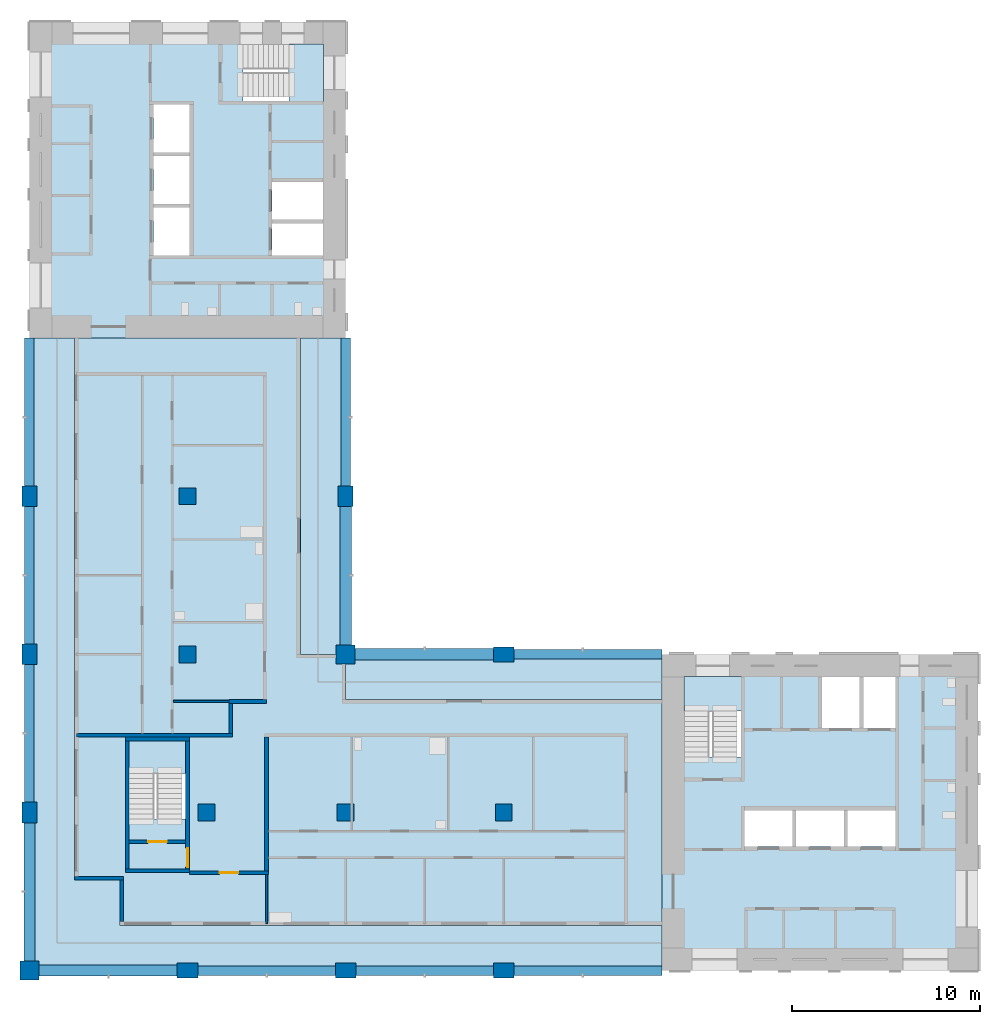
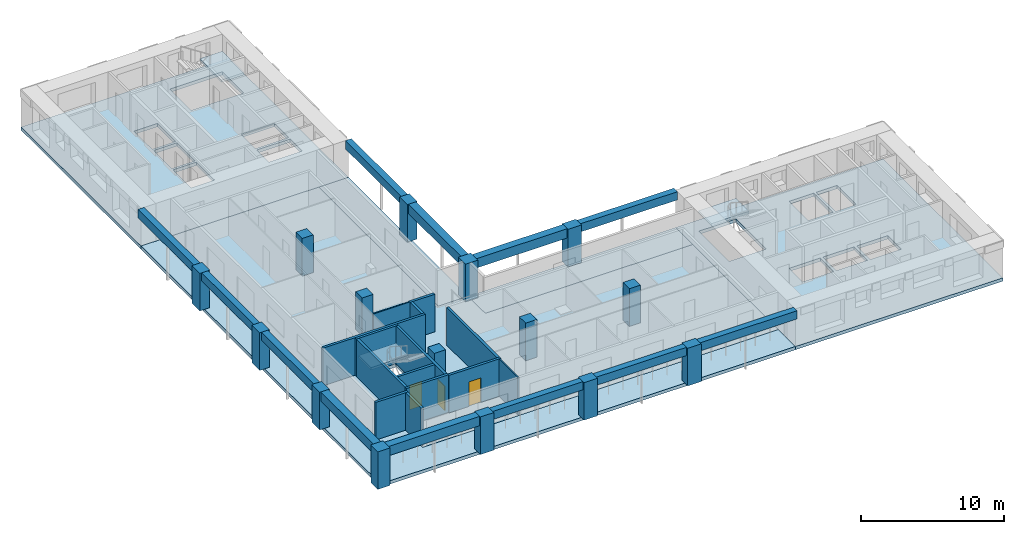
# One storey, part 1 of 9: 15 columns, 14 walls, 12 beams, 10 slabs, 3 doors, 3 openings, 3 elements without a shape of their own.
"""IFC4 building model written with IfcOpenShell, lengths in metres."""

from ifc_helpers import new_model, si_unit, direction, frame, frame_2d, origin, origin_2d, place, context, subcontext, project, spatial, polyline, rectangle, outline, extrude, material, layer, layer_set, material_profile, profile_set, type_object, element, fill, aggregate, save


model = new_model("IFC4")

# Units and contexts
model_context = context("Model", 3, precision=1e-05, world=origin(), true_north=direction((0.0, 1.0)))
body_context = subcontext(model_context, "Body", "Model", "MODEL_VIEW")
ifc_project = project(units=[si_unit("LENGTHUNIT", "METRE"), si_unit("AREAUNIT", "SQUARE_METRE"), si_unit("VOLUMEUNIT", "CUBIC_METRE"), si_unit("PLANEANGLEUNIT", "RADIAN"), si_unit("MASSUNIT", "GRAM", prefix="KILO")], contexts=[model_context])

# Site, building, storey
site_placement = place(None, origin())
site = spatial("IfcSite", under=ifc_project, at=site_placement, CompositionType="ELEMENT")
building_placement = place(site_placement, origin())
building = spatial("IfcBuilding", under=site, at=building_placement, Name="Vermilion Gate Residences", CompositionType="ELEMENT")
storey_placement = place(building_placement, frame((0.0, 0.0, 228.199951171875)))
storey = spatial("IfcBuildingStorey", under=building, at=storey_placement, Name="L59", CompositionType="ELEMENT", Elevation=228.199951171875)

# Columns
ifc_material_1 = material(Name="Concrete C50", Category="concrete")
ifc_material_profile_1 = material_profile(ifc_material_1, rectangle(XDim=1.0, YDim=1.0, at=origin_2d()), Name="RC-1000x1000")
ifc_profile_set_1 = profile_set([ifc_material_profile_1], Name="Concrete C50")
column_type_1 = type_object("IfcColumnType", Name="RC COLUMN 1000 X 1000 C50", PredefinedType="COLUMN", material=ifc_profile_set_1)
for number, where, z_axis, x_axis, name in (
    (1, (8.39990234375, 8.39990234375, 0.0), (0.0, 0.0, 1.0), (1.0, 0.0, 0.0), "Column 2-B L59"),
    (2, (25.199951171875, 25.199951171875, 0.0), (0.0, 0.0, 1.0), (1.0, 0.0, 0.0), "Column 4-D L59"),
):
    element("IfcColumn", number, at=place(storey_placement, frame(where, z_axis=z_axis, x_axis=x_axis)), inside=storey, type_object=column_type_1, Name=name, PredefinedType="COLUMN", context=body_context, shape_type="SweptSolid", body=[
        extrude(rectangle(XDim=1.0, YDim=1.0, at=origin_2d()), origin(), (0.0, 0.0, 1.0), 3.219970703125),
    ])
ifc_material_2 = material(Name="Concrete C50", Category="concrete")
ifc_material_profile_2 = material_profile(ifc_material_2, rectangle(XDim=1.10009765625, YDim=0.800048828125, at=origin_2d()), Name="RC-1100x800")
ifc_profile_set_2 = profile_set([ifc_material_profile_2], Name="Concrete C50")
column_type_2 = type_object("IfcColumnType", Name="RC COLUMN 1100 X 800 C50", PredefinedType="COLUMN", material=ifc_profile_set_2)
for number, where, z_axis, x_axis, name in (
    (3, (8.39990234375, 16.800048828125, 0.0), (0.0, 0.0, 1.0), (0.0, 1.0, 0.0), "Column 2-C L59"),
    (4, (8.39990234375, 25.199951171875, 0.0), (0.0, 0.0, 1.0), (0.0, 1.0, 0.0), "Column 2-D L59"),
    (5, (8.39990234375, 33.60009765625, 0.0), (0.0, 0.0, 1.0), (0.0, 1.0, 0.0), "Column 2-E L59"),
    (6, (16.800048828125, 8.39990234375, 0.0), (0.0, 0.0, 1.0), (1.0, 0.0, 0.0), "Column 3-B L59"),
    (7, (25.199951171875, 8.39990234375, 0.0), (0.0, 0.0, 1.0), (1.0, 0.0, 0.0), "Column 4-B L59"),
    (8, (25.199951171875, 33.60009765625, 0.0), (0.0, 0.0, 1.0), (0.0, 1.0, 0.0), "Column 4-E L59"),
    (9, (33.60009765625, 8.39990234375, 0.0), (0.0, 0.0, 1.0), (1.0, 0.0, 0.0), "Column 5-B L59"),
    (10, (33.60009765625, 25.199951171875, 0.0), (0.0, 0.0, 1.0), (1.0, 0.0, 0.0), "Column 5-D L59"),
):
    element("IfcColumn", number, at=place(storey_placement, frame(where, z_axis=z_axis, x_axis=x_axis)), inside=storey, type_object=column_type_2, Name=name, PredefinedType="COLUMN", context=body_context, shape_type="SweptSolid", body=[
        extrude(rectangle(XDim=1.10009765625, YDim=0.800048828125, at=origin_2d()), origin(), (0.0, 0.0, 1.0), 3.219970703125),
    ])
ifc_material_3 = material(Name="Concrete C50", Category="concrete")
ifc_material_profile_3 = material_profile(ifc_material_3, rectangle(XDim=0.89990234375, YDim=0.89990234375, at=origin_2d()), Name="RC-900x900")
ifc_profile_set_3 = profile_set([ifc_material_profile_3], Name="Concrete C50")
column_type_3 = type_object("IfcColumnType", Name="RC COLUMN 900 X 900 C50", PredefinedType="COLUMN", material=ifc_profile_set_3)
for number, where, z_axis, x_axis, name in (
    (11, (17.800048828125, 16.800048828125, 0.0), (0.0, 0.0, 1.0), (1.0, 0.0, 0.0), "Column 3-C L59"),
    (12, (16.800048828125, 25.199951171875, 0.0), (0.0, 0.0, 1.0), (1.0, 0.0, 0.0), "Column 3-D L59"),
    (13, (16.800048828125, 33.60009765625, 0.0), (0.0, 0.0, 1.0), (1.0, 0.0, 0.0), "Column 3-E L59"),
    (14, (25.199951171875, 16.800048828125, 0.0), (0.0, 0.0, 1.0), (1.0, 0.0, 0.0), "Column 4-C L59"),
    (15, (33.60009765625, 16.800048828125, 0.0), (0.0, 0.0, 1.0), (1.0, 0.0, 0.0), "Column 5-C L59"),
):
    element("IfcColumn", number, at=place(storey_placement, frame(where, z_axis=z_axis, x_axis=x_axis)), inside=storey, type_object=column_type_3, Name=name, PredefinedType="COLUMN", context=body_context, shape_type="SweptSolid", body=[
        extrude(rectangle(XDim=0.89990234375, YDim=0.89990234375, at=origin_2d()), origin(), (0.0, 0.0, 1.0), 3.219970703125),
    ])

# Beams
ifc_material_4 = material(Name="Concrete C60 red-oxide pigmented", Category="concrete")
ifc_material_profile_4 = material_profile(ifc_material_4, rectangle(XDim=0.60009765625, YDim=0.800048828125, at=origin_2d()), Name="RC-600x800")
ifc_profile_set_4 = profile_set([ifc_material_profile_4], Name="Concrete C60 red-oxide pigmented")
beam_type_1 = type_object("IfcBeamType", Name="RC CORNER EDGE BEAM 600 X 800 C60", PredefinedType="BEAM", material=ifc_profile_set_4)
for number, where, z_axis, x_axis, name in (
    (16, (8.89990234375, 8.39990234375, 2.820068359375), (1.0, 0.0, 0.0), (0.0, 1.0, 0.0), "Corner edge beam L59 1"),
    (17, (8.39990234375, 8.89990234375, 2.820068359375), (0.0, 1.0, 0.0), (-1.0, 0.0, 0.0), "Corner edge beam L59 2"),
    (18, (25.199951171875, 25.699951171875, 2.820068359375), (0.0, 1.0, 0.0), (-1.0, 0.0, 0.0), "Corner edge beam L59 7"),
    (19, (25.699951171875, 25.199951171875, 2.820068359375), (1.0, 0.0, 0.0), (0.0, 1.0, 0.0), "Corner edge beam L59 10"),
):
    element("IfcBeam", number, at=place(storey_placement, frame(where, z_axis=z_axis, x_axis=x_axis)), inside=storey, type_object=beam_type_1, Name=name, PredefinedType="BEAM", context=body_context, shape_type="SweptSolid", body=[
        extrude(rectangle(XDim=0.60009765625, YDim=0.800048828125, at=origin_2d()), origin(), (0.0, 0.0, 1.0), 7.35009765625),
    ])
ifc_material_5 = material(Name="Concrete C60 red-oxide pigmented", Category="concrete")
ifc_material_profile_5 = material_profile(ifc_material_5, rectangle(XDim=0.5, YDim=0.699951171875, at=origin_2d()), Name="RC-500x700")
ifc_profile_set_5 = profile_set([ifc_material_profile_5], Name="Concrete C60 red-oxide pigmented")
beam_type_2 = type_object("IfcBeamType", Name="RC EDGE BEAM 500 X 700 C60", PredefinedType="BEAM", material=ifc_profile_set_5)
beam_1_placement = place(storey_placement, frame((8.39990234375, 17.35009765625, 2.8701171875), z_axis=(0.0, 1.0, 0.0), x_axis=(-1.0, 0.0, 0.0)))
element("IfcBeam", 20, at=beam_1_placement, inside=storey, type_object=beam_type_2, Name="Edge beam L59 3", PredefinedType="BEAM", context=body_context, shape_type="SweptSolid", body=[
    extrude(rectangle(XDim=0.5, YDim=0.699951171875, at=origin_2d()), origin(), (0.0, 0.0, 1.0), 7.2998046875),
])
beam_2_placement = place(storey_placement, frame((8.39990234375, 25.75, 2.8701171875), z_axis=(0.0, 1.0, 0.0), x_axis=(-1.0, 0.0, 0.0)))
element("IfcBeam", 21, at=beam_2_placement, inside=storey, type_object=beam_type_2, Name="Edge beam L59 4", PredefinedType="BEAM", context=body_context, shape_type="SweptSolid", body=[
    extrude(rectangle(XDim=0.5, YDim=0.699951171875, at=origin_2d()), origin(), (0.0, 0.0, 1.0), 7.300048828125),
])
beam_3_placement = place(storey_placement, frame((8.39990234375, 34.14990234375, 2.8701171875), z_axis=(0.0, 1.0, 0.0), x_axis=(-1.0, 0.0, 0.0)))
element("IfcBeam", 22, at=beam_3_placement, inside=storey, type_object=beam_type_2, Name="Edge beam L59 5", PredefinedType="BEAM", context=body_context, shape_type="SweptSolid", body=[
    extrude(rectangle(XDim=0.5, YDim=0.699951171875, at=origin_2d()), origin(), (0.0, 0.0, 1.0), 7.85009765625),
])
beam_4_placement = place(storey_placement, frame((17.35009765625, 8.39990234375, 2.8701171875), z_axis=(1.0, 0.0, 0.0), x_axis=(0.0, 1.0, 0.0)))
element("IfcBeam", 23, at=beam_4_placement, inside=storey, type_object=beam_type_2, Name="Edge beam L59 6", PredefinedType="BEAM", context=body_context, shape_type="SweptSolid", body=[
    extrude(rectangle(XDim=0.5, YDim=0.699951171875, at=origin_2d()), origin(), (0.0, 0.0, 1.0), 7.2998046875),
])
beam_5_placement = place(storey_placement, frame((25.199951171875, 34.14990234375, 2.8701171875), z_axis=(0.0, 1.0, 0.0), x_axis=(-1.0, 0.0, 0.0)))
element("IfcBeam", 24, at=beam_5_placement, inside=storey, type_object=beam_type_2, Name="Edge beam L59 8", PredefinedType="BEAM", context=body_context, shape_type="SweptSolid", body=[
    extrude(rectangle(XDim=0.5, YDim=0.699951171875, at=origin_2d()), origin(), (0.0, 0.0, 1.0), 7.85009765625),
])
beam_6_placement = place(storey_placement, frame((25.75, 8.39990234375, 2.8701171875), z_axis=(1.0, 0.0, 0.0), x_axis=(0.0, 1.0, 0.0)))
element("IfcBeam", 25, at=beam_6_placement, inside=storey, type_object=beam_type_2, Name="Edge beam L59 9", PredefinedType="BEAM", context=body_context, shape_type="SweptSolid", body=[
    extrude(rectangle(XDim=0.5, YDim=0.699951171875, at=origin_2d()), origin(), (0.0, 0.0, 1.0), 7.300048828125),
])
for number, where, z_axis, x_axis, name in (
    (26, (34.14990234375, 8.39990234375, 2.8701171875), (1.0, 0.0, 0.0), (0.0, 1.0, 0.0), "Edge beam L59 11"),
    (27, (34.14990234375, 25.199951171875, 2.8701171875), (1.0, 0.0, 0.0), (0.0, 1.0, 0.0), "Edge beam L59 12"),
):
    element("IfcBeam", number, at=place(storey_placement, frame(where, z_axis=z_axis, x_axis=x_axis)), inside=storey, type_object=beam_type_2, Name=name, PredefinedType="BEAM", context=body_context, shape_type="SweptSolid", body=[
        extrude(rectangle(XDim=0.5, YDim=0.699951171875, at=origin_2d()), origin(), (0.0, 0.0, 1.0), 7.85009765625),
    ])

# Slabs
ifc_material_6 = material(Name="Concrete C50", Category="concrete")
ifc_layer_1 = layer(ifc_material_6, 0.280029296875)
ifc_layer_set_1 = layer_set([ifc_layer_1], Name="RC CORE FLOOR SLAB 280 C50")
slab_type_1 = type_object("IfcSlabType", Name="RC CORE FLOOR SLAB 280 C50", PredefinedType="FLOOR", material=ifc_layer_set_1)
slab_1_placement = place(storey_placement, frame((0.0, 0.0, -0.280029296875)))
element("IfcSlab", 28, at=slab_1_placement, inside=storey, type_object=slab_type_1, Name="Core floor slab A59", PredefinedType="FLOOR", context=body_context, shape_type="SweptSolid", body=[
    extrude(outline(polyline([(42.0, 8.39990234375), (58.800048828125, 8.39990234375), (58.800048828125, 25.199951171875), (42.0, 25.199951171875), (42.0, 8.39990234375)]), holes=[polyline([(46.39990234375, 15.0), (46.39990234375, 16.89990234375), (48.933349609375, 16.89990234375), (48.933349609375, 15.0), (46.39990234375, 15.0)]), polyline([(49.13330078125, 16.89990234375), (51.666748046875, 16.89990234375), (51.666748046875, 15.0), (49.13330078125, 15.0), (49.13330078125, 16.89990234375)]), polyline([(51.86669921875, 16.89990234375), (54.39990234375, 16.89990234375), (54.39990234375, 15.0), (51.86669921875, 15.0), (51.86669921875, 16.89990234375)]), polyline([(43.199951171875, 19.75), (43.199951171875, 24.0), (46.199951171875, 24.0), (46.199951171875, 19.75), (43.199951171875, 19.75)]), polyline([(50.5, 24.0), (52.5, 24.0), (52.5, 21.300048828125), (50.5, 21.300048828125), (50.5, 24.0)]), polyline([(52.699951171875, 24.0), (54.39990234375, 24.0), (54.39990234375, 21.300048828125), (52.699951171875, 21.300048828125), (52.699951171875, 24.0)])]), origin(), (0.0, 0.0, 1.0), 0.280029296875),
])
slab_2_placement = place(storey_placement, frame((0.0, 0.0, -0.280029296875)))
element("IfcSlab", 29, at=slab_2_placement, inside=storey, type_object=slab_type_1, Name="Core floor slab B59", PredefinedType="FLOOR", context=body_context, shape_type="SweptSolid", body=[
    extrude(outline(polyline([(8.39990234375, 42.0), (25.199951171875, 42.0), (25.199951171875, 58.800048828125), (8.39990234375, 58.800048828125), (8.39990234375, 42.0)]), holes=[polyline([(21.300048828125, 46.39990234375), (21.300048828125, 48.10009765625), (24.0, 48.10009765625), (24.0, 46.39990234375), (21.300048828125, 46.39990234375)]), polyline([(15.0, 48.933349609375), (16.89990234375, 48.933349609375), (16.89990234375, 46.39990234375), (15.0, 46.39990234375), (15.0, 48.933349609375)]), polyline([(21.300048828125, 50.300048828125), (24.0, 50.300048828125), (24.0, 48.300048828125), (21.300048828125, 48.300048828125), (21.300048828125, 50.300048828125)]), polyline([(15.0, 49.13330078125), (15.0, 51.666748046875), (16.89990234375, 51.666748046875), (16.89990234375, 49.13330078125), (15.0, 49.13330078125)]), polyline([(15.0, 54.39990234375), (16.89990234375, 54.39990234375), (16.89990234375, 51.86669921875), (15.0, 51.86669921875), (15.0, 54.39990234375)]), polyline([(19.75, 57.60009765625), (24.0, 57.60009765625), (24.0, 54.60009765625), (19.75, 54.60009765625), (19.75, 57.60009765625)])]), origin(), (0.0, 0.0, 1.0), 0.280029296875),
])
slab_3_placement = place(storey_placement, frame((0.0, 0.0, -0.280029296875)))
element("IfcSlab", 30, at=slab_3_placement, inside=storey, type_object=slab_type_1, Name="Apex stair floor slab 59", PredefinedType="FLOOR", context=body_context, shape_type="SweptSolid", body=[
    extrude(outline(polyline([(13.5, 13.60009765625), (16.89990234375, 13.60009765625), (16.89990234375, 20.800048828125), (13.5, 20.800048828125), (13.5, 13.60009765625)]), holes=[polyline([(16.699951171875, 20.60009765625), (16.699951171875, 16.449951171875), (13.699951171875, 16.449951171875), (13.699951171875, 20.60009765625), (16.699951171875, 20.60009765625)])]), origin(), (0.0, 0.0, 1.0), 0.280029296875),
])
ifc_material_7 = material(Name="Concrete C50", Category="concrete")
ifc_layer_2 = layer(ifc_material_7, 0.280029296875)
ifc_layer_set_2 = layer_set([ifc_layer_2], Name="RC FLAT PLATE 280 C50")
slab_type_2 = type_object("IfcSlabType", Name="RC FLAT PLATE 280 C50", PredefinedType="FLOOR", material=ifc_layer_set_2)
slab_4_placement = place(storey_placement, frame((0.0, 0.0, -0.280029296875)))
element("IfcSlab", 31, at=slab_4_placement, inside=storey, type_object=slab_type_2, Name="Floor slab L59", PredefinedType="FLOOR", context=body_context, shape_type="SweptSolid", body=[
    extrude(outline(polyline([(22.800048828125, 25.199951171875), (22.800048828125, 42.0), (10.800048828125, 42.0), (10.800048828125, 13.199951171875), (13.199951171875, 13.199951171875), (13.199951171875, 10.800048828125), (42.0, 10.800048828125), (42.0, 22.800048828125), (25.199951171875, 22.800048828125), (25.199951171875, 25.199951171875), (22.800048828125, 25.199951171875)]), holes=[polyline([(13.5, 13.60009765625), (13.5, 20.800048828125), (16.89990234375, 20.800048828125), (16.89990234375, 13.60009765625), (13.5, 13.60009765625)])]), origin(), (0.0, 0.0, 1.0), 0.280029296875),
])
ifc_material_8 = material(Name="Concrete C50 red-oxide pigmented", Category="concrete")
ifc_layer_3 = layer(ifc_material_8, 0.280029296875)
ifc_layer_set_3 = layer_set([ifc_layer_3], Name="RC LOGGIA SLAB 280 C50")
slab_type_3 = type_object("IfcSlabType", Name="RC LOGGIA SLAB 280 C50", PredefinedType="FLOOR", material=ifc_layer_set_3)
slab_5_placement = place(storey_placement, frame((0.0, 0.0, -0.280029296875)))
element("IfcSlab", 32, at=slab_5_placement, inside=storey, type_object=slab_type_3, Name="Loggia slab L59", PredefinedType="FLOOR", context=body_context, shape_type="SweptSolid", body=[
    extrude(outline(polyline([(8.39990234375, 8.39990234375), (42.0, 8.39990234375), (42.0, 10.800048828125), (13.199951171875, 10.800048828125), (13.199951171875, 13.199951171875), (10.800048828125, 13.199951171875), (10.800048828125, 42.0), (8.39990234375, 42.0), (8.39990234375, 8.39990234375)])), origin(), (0.0, 0.0, 1.0), 0.280029296875),
])
slab_6_placement = place(storey_placement, frame((0.0, 0.0, -0.280029296875)))
element("IfcSlab", 33, at=slab_6_placement, inside=storey, type_object=slab_type_3, Name="Loggia slab L59", PredefinedType="FLOOR", context=body_context, shape_type="SweptSolid", body=[
    extrude(outline(polyline([(25.199951171875, 22.800048828125), (42.0, 22.800048828125), (42.0, 25.199951171875), (25.199951171875, 25.199951171875), (25.199951171875, 22.800048828125)])), origin(), (0.0, 0.0, 1.0), 0.280029296875),
])
slab_7_placement = place(storey_placement, frame((0.0, 0.0, -0.280029296875)))
element("IfcSlab", 34, at=slab_7_placement, inside=storey, type_object=slab_type_3, Name="Loggia slab L59", PredefinedType="FLOOR", context=body_context, shape_type="SweptSolid", body=[
    extrude(outline(polyline([(25.199951171875, 42.0), (22.800048828125, 42.0), (22.800048828125, 25.199951171875), (25.199951171875, 25.199951171875), (25.199951171875, 42.0)])), origin(), (0.0, 0.0, 1.0), 0.280029296875),
])

# Stair, slab
ifc_material_9 = material(Name="Concrete C50", Category="concrete")
stair_type = type_object("IfcStairType", Name="SPECIAL ESCAPE STAIR 1300", PredefinedType="HALF_TURN_STAIR", material=ifc_material_9)
stair_1_placement = place(storey_placement, origin())
stair_1 = element("IfcStair", 35, at=stair_1_placement, inside=storey, type_object=stair_type, Name="Special escape stair STA1-59", PredefinedType="HALF_TURN_STAIR")
ifc_material_10 = material(Name="Concrete C50", Category="concrete")
ifc_layer_4 = layer(ifc_material_10, 0.199951171875)
ifc_layer_set_4 = layer_set([ifc_layer_4], Name="STAIR LANDING 200 C50")
slab_type_4 = type_object("IfcSlabType", Name="STAIR LANDING 200 C50", PredefinedType="LANDING", material=ifc_layer_set_4)
slab_8_placement = place(storey_placement, frame((0.0, 0.0, 1.550048828125)))
slab_8 = element("IfcSlab", 36, at=slab_8_placement, type_object=slab_type_4, Name="STA1-59 landing 1", PredefinedType="LANDING", context=body_context, shape_type="SweptSolid", body=[
    extrude(outline(polyline([(46.219970703125, 22.179931640625), (46.219970703125, 24.02001953125), (43.179931640625, 24.02001953125), (43.179931640625, 22.179931640625), (46.219970703125, 22.179931640625)])), origin(), (0.0, 0.0, 1.0), 0.199951171875),
])
aggregate(stair_1, [slab_8])

stair_2_placement = place(storey_placement, origin())
stair_2 = element("IfcStair", 37, at=stair_2_placement, inside=storey, type_object=stair_type, Name="Special escape stair STB1-59", PredefinedType="HALF_TURN_STAIR")
slab_9_placement = place(storey_placement, frame((0.0, 0.0, 1.550048828125)))
slab_9 = element("IfcSlab", 38, at=slab_9_placement, type_object=slab_type_4, Name="STB1-59 landing 1", PredefinedType="LANDING", context=body_context, shape_type="SweptSolid", body=[
    extrude(outline(polyline([(24.02001953125, 54.580078125), (24.02001953125, 57.6201171875), (22.179931640625, 57.6201171875), (22.179931640625, 54.580078125), (24.02001953125, 54.580078125)])), origin(), (0.0, 0.0, 1.0), 0.199951171875),
])
aggregate(stair_2, [slab_9])

stair_3_placement = place(storey_placement, origin())
stair_3 = element("IfcStair", 39, at=stair_3_placement, inside=storey, type_object=stair_type, Name="Special escape stair STC1-59", PredefinedType="HALF_TURN_STAIR")
slab_10_placement = place(storey_placement, frame((0.0, 0.0, 1.550048828125)))
slab_10 = element("IfcSlab", 40, at=slab_10_placement, type_object=slab_type_4, Name="STC1-59 landing 1", PredefinedType="LANDING", context=body_context, shape_type="SweptSolid", body=[
    extrude(outline(polyline([(16.719970703125, 18.8798828125), (16.719970703125, 20.6201171875), (13.679931640625, 20.6201171875), (13.679931640625, 18.8798828125), (16.719970703125, 18.8798828125)])), origin(), (0.0, 0.0, 1.0), 0.199951171875),
])
aggregate(stair_3, [slab_10])

# Walls
ifc_material_11 = material(Name="Insulated steel stud wall with terracotta rainscreen", Category="masonry")
ifc_layer_5 = layer(ifc_material_11, 0.199951171875)
ifc_layer_set_5 = layer_set([ifc_layer_5], Name="EXTERNAL WALL 200 TERRACOTTA RAINSCREEN")
wall_type_1 = type_object("IfcWallType", Name="EXTERNAL WALL 200 TERRACOTTA RAINSCREEN", PredefinedType="SOLIDWALL", material=ifc_layer_set_5)
wall_1_placement = place(storey_placement, frame((10.800048828125, 13.300048828125, 0.0), z_axis=(0.0, 0.0, 1.0), x_axis=(1.0, 0.0, 0.0)))
element("IfcWall", 41, at=wall_1_placement, inside=storey, type_object=wall_type_1, Name="External wall", PredefinedType="SOLIDWALL", context=body_context, shape_type="SweptSolid", body=[
    extrude(rectangle(XDim=2.599853515625, YDim=0.199951171875, at=frame_2d((1.2998046875, 0.0))), origin(), (0.0, 0.0, 1.0), 3.219970703125),
])
wall_2_placement = place(storey_placement, frame((13.300048828125, 13.199951171875, 0.0), z_axis=(0.0, 0.0, 1.0), x_axis=(0.0, -1.0, 0.0)))
element("IfcWall", 42, at=wall_2_placement, inside=storey, type_object=wall_type_1, Name="External wall", PredefinedType="SOLIDWALL", context=body_context, shape_type="SweptSolid", body=[
    extrude(rectangle(XDim=2.199951171875, YDim=0.199951171875, at=frame_2d((1.10009765625, 0.0))), origin(), (0.0, 0.0, 1.0), 3.219970703125),
])
ifc_material_12 = material(Name="Plasterboard on steel studs", Category="steel")
ifc_layer_6 = layer(ifc_material_12, 0.10009765625)
ifc_layer_set_6 = layer_set([ifc_layer_6], Name="PARTITION 100")
wall_type_2 = type_object("IfcWallType", Name="PARTITION 100", PredefinedType="PARTITIONING", material=ifc_layer_set_6)
wall_3_placement = place(storey_placement, frame((16.050048828125, 22.699951171875, 0.0), z_axis=(0.0, 0.0, 1.0), x_axis=(1.0, 0.0, 0.0)))
element("IfcWall", 43, at=wall_3_placement, inside=storey, type_object=wall_type_2, Name="Partition", PredefinedType="PARTITIONING", context=body_context, shape_type="SweptSolid", body=[
    extrude(rectangle(XDim=2.949951171875, YDim=0.10009765625, at=frame_2d((1.47509765625, 0.0))), origin(), (0.0, 0.0, 1.0), 3.219970703125),
])
wall_4_placement = place(storey_placement, frame((21.0, 10.89990234375, 0.0), z_axis=(0.0, 0.0, 1.0), x_axis=(0.0, 1.0, 0.0)))
element("IfcWall", 44, at=wall_4_placement, inside=storey, type_object=wall_type_2, Name="Partition", PredefinedType="PARTITIONING", context=body_context, shape_type="SweptSolid", body=[
    extrude(rectangle(XDim=2.60009765625, YDim=0.10009765625, at=frame_2d((1.300048828125, 0.0))), origin(), (0.0, 0.0, 1.0), 3.219970703125),
])

# Wall, opening, door
ifc_material_13 = material(Name="Fire-rated plasterboard on steel studs", Category="steel")
ifc_layer_7 = layer(ifc_material_13, 0.199951171875)
ifc_layer_set_7 = layer_set([ifc_layer_7], Name="PARTY WALL 200 EI 120")
wall_type_3 = type_object("IfcWallType", Name="PARTY WALL 200 EI 120", PredefinedType="PARTITIONING", material=ifc_layer_set_7)
wall_5_placement = place(storey_placement, frame((16.89990234375, 13.60009765625, 0.0), z_axis=(0.0, 0.0, 1.0), x_axis=(1.0, 0.0, 0.0)))
wall_5 = element("IfcWall", 45, at=wall_5_placement, inside=storey, type_object=wall_type_3, Name="Party and corridor wall", PredefinedType="PARTITIONING", context=body_context, shape_type="SweptSolid", body=[
    extrude(rectangle(XDim=4.2001953125, YDim=0.199951171875, at=frame_2d((2.10009765625, 0.0))), origin(), (0.0, 0.0, 1.0), 3.219970703125),
])
opening_1_placement = place(wall_5_placement, frame((1.60009765625, 0.0, 0.0)))
opening_1 = element("IfcOpeningElement", 46, at=opening_1_placement, cuts=wall_5, Name="Opening DA58001", PredefinedType="OPENING", context=body_context, shape_type="SweptSolid", body=[
    extrude(rectangle(XDim=1.0, YDim=2.10009765625, at=frame_2d((0.5, 1.050048828125))), frame((0.0, 0.10986328125, 0.0), z_axis=(0.0, -1.0, 0.0), x_axis=(1.0, 0.0, 0.0)), (0.0, 0.0, 1.0), 0.219970703125),
])
ifc_material_14 = material(Name="Steel", Category="steel")
door_type_1 = type_object("IfcDoorType", Name="ENTRANCE DOOR 1000 X 2100 FD30", OperationType="SINGLE_SWING_LEFT", PredefinedType="DOOR", material=ifc_material_14)
door_1_placement = place(opening_1_placement, frame((1.0, 0.0, 0.0), z_axis=(0.0, 0.0, 1.0), x_axis=(-1.0, 0.0, 0.0)))
door_1 = element("IfcDoor", 47, at=door_1_placement, inside=storey, type_object=door_type_1, Name="Entrance door", OperationType="SINGLE_SWING_LEFT", OverallHeight=2.10009765625, OverallWidth=1.0, PredefinedType="DOOR", context=body_context, shape_type="SweptSolid", body=[
    extrude(rectangle(XDim=1.0, YDim=2.10009765625, at=frame_2d((0.5, 1.050048828125))), frame((0.0, 0.02490234375, 0.0), z_axis=(0.0, -1.0, 0.0), x_axis=(1.0, 0.0, 0.0)), (0.0, 0.0, 1.0), 0.050048828125),
])
fill(opening_1, door_1)

# Walls
wall_6_placement = place(storey_placement, frame((10.89990234375, 20.89990234375, 0.0), z_axis=(0.0, 0.0, 1.0), x_axis=(1.0, 0.0, 0.0)))
element("IfcWall", 48, at=wall_6_placement, inside=storey, type_object=wall_type_3, Name="Party and corridor wall", PredefinedType="PARTITIONING", context=body_context, shape_type="SweptSolid", body=[
    extrude(rectangle(XDim=8.300048828125, YDim=0.199951171875, at=frame_2d((4.14990234375, 0.0))), origin(), (0.0, 0.0, 1.0), 3.219970703125),
])
wall_7_placement = place(storey_placement, frame((19.0, 22.699951171875, 0.0), z_axis=(0.0, 0.0, 1.0), x_axis=(1.0, 0.0, 0.0)))
element("IfcWall", 49, at=wall_7_placement, inside=storey, type_object=wall_type_3, Name="Party and corridor wall", PredefinedType="PARTITIONING", context=body_context, shape_type="SweptSolid", body=[
    extrude(rectangle(XDim=2.0, YDim=0.199951171875, at=frame_2d((1.0, 0.0))), origin(), (0.0, 0.0, 1.0), 3.219970703125),
])
wall_8_placement = place(storey_placement, frame((19.10009765625, 21.0, 0.0), z_axis=(0.0, 0.0, 1.0), x_axis=(0.0, 1.0, 0.0)))
element("IfcWall", 50, at=wall_8_placement, inside=storey, type_object=wall_type_3, Name="Party and corridor wall", PredefinedType="PARTITIONING", context=body_context, shape_type="SweptSolid", body=[
    extrude(rectangle(XDim=1.60009765625, YDim=0.199951171875, at=frame_2d((0.800048828125, 0.0))), origin(), (0.0, 0.0, 1.0), 3.219970703125),
])
wall_9_placement = place(storey_placement, frame((21.0, 13.699951171875, 0.0), z_axis=(0.0, 0.0, 1.0), x_axis=(0.0, 1.0, 0.0)))
element("IfcWall", 51, at=wall_9_placement, inside=storey, type_object=wall_type_3, Name="Party and corridor wall", PredefinedType="PARTITIONING", context=body_context, shape_type="SweptSolid", body=[
    extrude(rectangle(XDim=7.10009765625, YDim=0.199951171875, at=frame_2d((3.550048828125, 0.0))), origin(), (0.0, 0.0, 1.0), 3.219970703125),
])
ifc_material_15 = material(Name="Concrete C60", Category="concrete")
ifc_layer_8 = layer(ifc_material_15, 0.199951171875)
ifc_layer_set_8 = layer_set([ifc_layer_8], Name="RC CORE INTERNAL WALL 200 C60")
wall_type_4 = type_object("IfcWallType", Name="RC CORE INTERNAL WALL 200 C60", PredefinedType="SHEAR", material=ifc_layer_set_8)
wall_10_placement = place(storey_placement, frame((13.60009765625, 13.800048828125, 0.0), z_axis=(0.0, 0.0, 1.0), x_axis=(0.0, 1.0, 0.0)))
element("IfcWall", 52, at=wall_10_placement, inside=storey, type_object=wall_type_4, Name="Core internal wall C59-W", PredefinedType="SHEAR", context=body_context, shape_type="SweptSolid", body=[
    extrude(rectangle(XDim=6.800048828125, YDim=0.199951171875, at=frame_2d((3.39990234375, 0.0))), origin(), (0.0, 0.0, 1.0), 3.219970703125),
])

# Wall, opening, door
wall_11_placement = place(storey_placement, frame((16.800048828125, 13.800048828125, 0.0), z_axis=(0.0, 0.0, 1.0), x_axis=(0.0, 1.0, 0.0)))
wall_11 = element("IfcWall", 53, at=wall_11_placement, inside=storey, type_object=wall_type_4, Name="Core internal wall C59-E", PredefinedType="SHEAR", context=body_context, shape_type="SweptSolid", body=[
    extrude(rectangle(XDim=6.800048828125, YDim=0.199951171875, at=frame_2d((3.39990234375, 0.0))), origin(), (0.0, 0.0, 1.0), 3.219970703125),
])
opening_2_placement = place(wall_11_placement, frame((0.10009765625, 0.0, 0.0)))
opening_2 = element("IfcOpeningElement", 54, at=opening_2_placement, cuts=wall_11, Name="Opening DK59201", PredefinedType="OPENING", context=body_context, shape_type="SweptSolid", body=[
    extrude(rectangle(XDim=1.0, YDim=2.10009765625, at=frame_2d((0.5, 1.050048828125))), frame((0.0, 0.10986328125, 0.0), z_axis=(0.0, -1.0, 0.0), x_axis=(1.0, 0.0, 0.0)), (0.0, 0.0, 1.0), 0.219970703125),
])
ifc_material_16 = material(Name="Steel", Category="steel")
door_type_2 = type_object("IfcDoorType", Name="FIRE DOOR FD60 1000 X 2100", OperationType="SINGLE_SWING_LEFT", PredefinedType="DOOR", material=ifc_material_16)
door_2_placement = place(opening_2_placement, frame((1.0, 0.0, 0.0), z_axis=(0.0, 0.0, 1.0), x_axis=(-1.0, 0.0, 0.0)))
door_2 = element("IfcDoor", 55, at=door_2_placement, inside=storey, type_object=door_type_2, Name="Stair vestibule door C59", OperationType="SINGLE_SWING_RIGHT", OverallHeight=2.10009765625, OverallWidth=1.0, PredefinedType="DOOR", context=body_context, shape_type="SweptSolid", body=[
    extrude(rectangle(XDim=1.0, YDim=2.10009765625, at=frame_2d((0.5, 1.050048828125))), frame((0.0, 0.02490234375, 0.0), z_axis=(0.0, -1.0, 0.0), x_axis=(1.0, 0.0, 0.0)), (0.0, 0.0, 1.0), 0.050048828125),
])
fill(opening_2, door_2)

# Walls
for number, where, z_axis, x_axis, name in (
    (56, (13.5, 13.699951171875, 0.0), (0.0, 0.0, 1.0), (1.0, 0.0, 0.0), "Core internal wall C59-S"),
    (57, (13.5, 20.699951171875, 0.0), (0.0, 0.0, 1.0), (1.0, 0.0, 0.0), "Core internal wall C59-N"),
):
    element("IfcWall", number, at=place(storey_placement, frame(where, z_axis=z_axis, x_axis=x_axis)), inside=storey, type_object=wall_type_4, Name=name, PredefinedType="SHEAR", context=body_context, shape_type="SweptSolid", body=[
        extrude(rectangle(XDim=3.39990234375, YDim=0.199951171875, at=frame_2d((1.699951171875, 0.0))), origin(), (0.0, 0.0, 1.0), 3.219970703125),
    ])

# Wall, opening, door
wall_12_placement = place(storey_placement, frame((13.699951171875, 15.25, 0.0), z_axis=(0.0, 0.0, 1.0), x_axis=(1.0, 0.0, 0.0)))
wall_12 = element("IfcWall", 58, at=wall_12_placement, inside=storey, type_object=wall_type_4, Name="Core internal wall C59-P", PredefinedType="SHEAR", context=body_context, shape_type="SweptSolid", body=[
    extrude(rectangle(XDim=3.0, YDim=0.199951171875, at=frame_2d((1.5, 0.0))), origin(), (0.0, 0.0, 1.0), 3.219970703125),
])
opening_3_placement = place(wall_12_placement, frame((1.0, 0.0, 0.0)))
opening_3 = element("IfcOpeningElement", 59, at=opening_3_placement, cuts=wall_12, Name="Opening DK59202", PredefinedType="OPENING", context=body_context, shape_type="SweptSolid", body=[
    extrude(rectangle(XDim=1.0, YDim=2.10009765625, at=frame_2d((0.5, 1.050048828125))), frame((0.0, 0.10986328125, 0.0), z_axis=(0.0, -1.0, 0.0), x_axis=(1.0, 0.0, 0.0)), (0.0, 0.0, 1.0), 0.219970703125),
])
door_3_placement = place(opening_3_placement, origin())
door_3 = element("IfcDoor", 60, at=door_3_placement, inside=storey, type_object=door_type_2, Name="Stair door C59", OperationType="SINGLE_SWING_LEFT", OverallHeight=2.10009765625, OverallWidth=1.0, PredefinedType="DOOR", context=body_context, shape_type="SweptSolid", body=[
    extrude(rectangle(XDim=1.0, YDim=2.10009765625, at=frame_2d((0.5, 1.050048828125))), frame((0.0, 0.02490234375, 0.0), z_axis=(0.0, -1.0, 0.0), x_axis=(1.0, 0.0, 0.0)), (0.0, 0.0, 1.0), 0.050048828125),
])
fill(opening_3, door_3)

save(model, "model.ifc")
